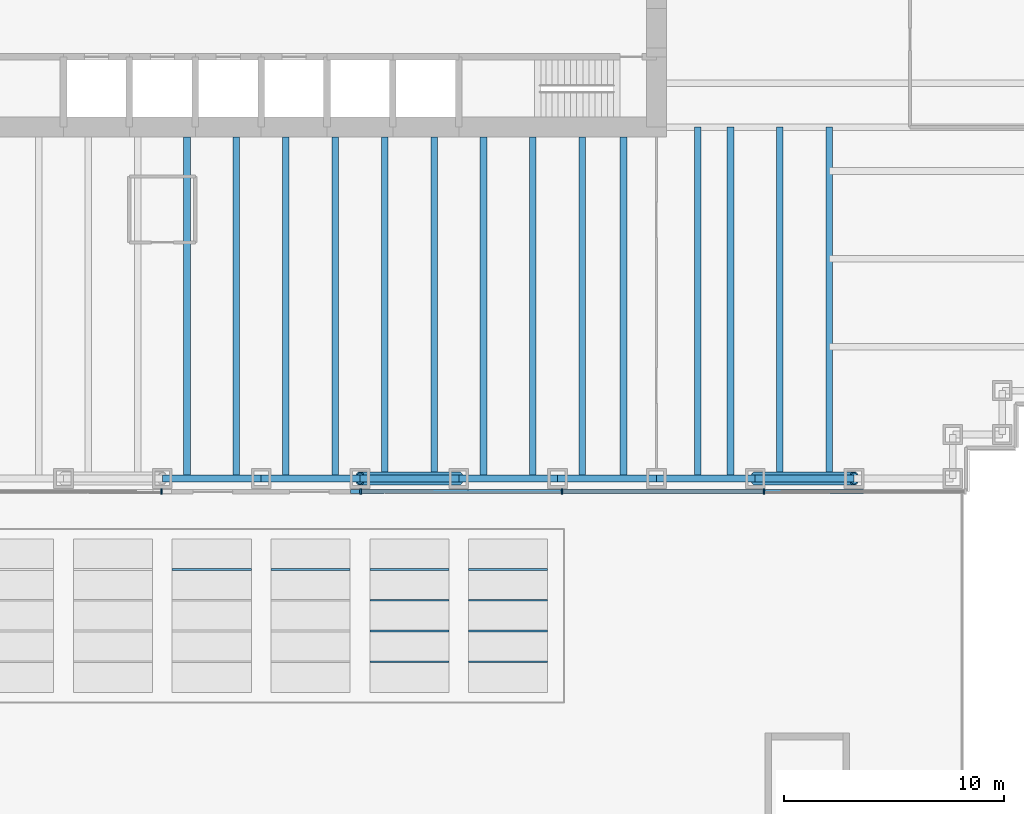
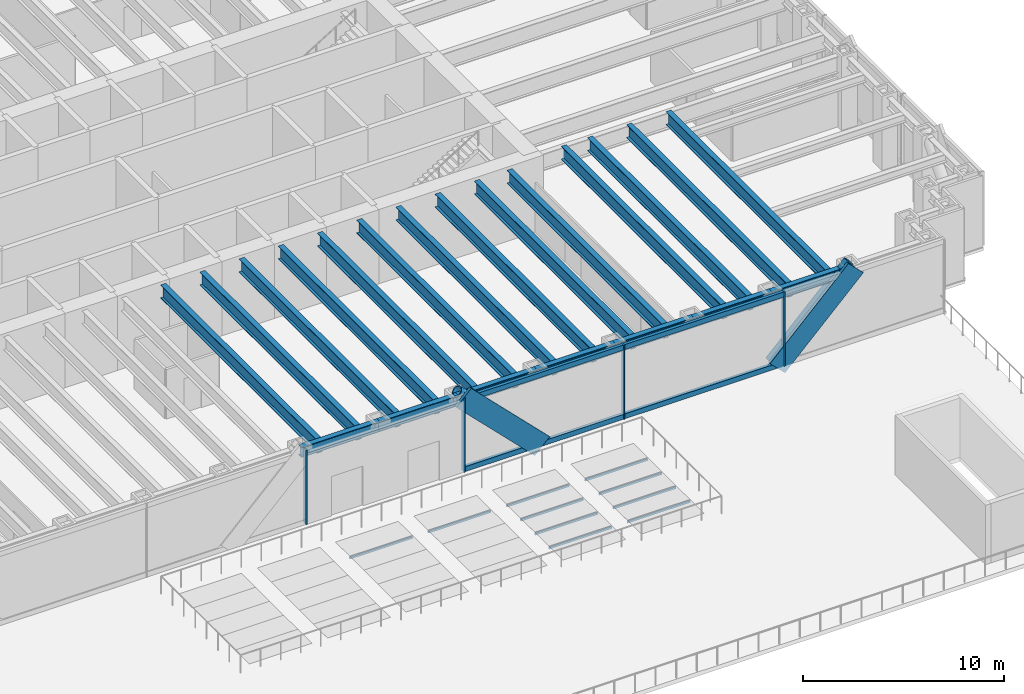
# One storey, part 3 of 15: 22 members, 21 beams, 2 elements without a shape of their own.
"""IFC4 building model written with IfcOpenShell, lengths in metres."""

from ifc_helpers import new_model, si_unit, direction, frame, origin, origin_2d, place, context, subcontext, project, spatial, rectangle, hollow_rectangle, hollow_circle, i_section, extrude, material, material_profile, profile_set, type_object, element, aggregate, save


model = new_model("IFC4")

# Units and contexts
model_context = context("Model", 3, precision=1e-05, world=origin(), true_north=direction((0.0, 1.0)))
body_context = subcontext(model_context, "Body", "Model", "MODEL_VIEW")
ifc_project = project(units=[si_unit("LENGTHUNIT", "METRE"), si_unit("AREAUNIT", "SQUARE_METRE"), si_unit("VOLUMEUNIT", "CUBIC_METRE"), si_unit("PLANEANGLEUNIT", "RADIAN"), si_unit("MASSUNIT", "GRAM", prefix="KILO")], contexts=[model_context])

# Site, building, storey
site_placement = place(None, origin())
site = spatial("IfcSite", under=ifc_project, at=site_placement, CompositionType="ELEMENT")
building_placement = place(site_placement, origin())
building = spatial("IfcBuilding", under=site, at=building_placement, Name="Rheinbord Bourse Tower", CompositionType="ELEMENT")
storey_placement = place(building_placement, frame((0.0, 0.0, 23.0)))
storey = spatial("IfcBuildingStorey", under=building, at=storey_placement, Name="L04", CompositionType="ELEMENT", Elevation=23.0)

# Curtain wall, members
ifc_material_1 = material(Name="Dark glass and black aluminium", Category="aluminium")
curtain_wall_type = type_object("IfcCurtainWallType", Name="CW1 DARK GLASS CURTAIN WALL", PredefinedType="USERDEFINED", material=ifc_material_1)
curtain_wall_1_placement = place(storey_placement, origin())
curtain_wall_1 = element("IfcCurtainWall", 1, at=curtain_wall_1_placement, inside=storey, type_object=curtain_wall_type, Name="Curtain wall CW1 S L04", ObjectType="UNITISED CURTAIN WALL", PredefinedType="USERDEFINED")
ifc_material_2 = material(Name="Black anodised aluminium", Category="aluminium")
ifc_material_profile_1 = material_profile(ifc_material_2, rectangle(XDim=0.179931640625, YDim=1.2099609375, at=origin_2d()), Name="CW1 DIAGONAL MULLION 1210x180")
ifc_profile_set_1 = profile_set([ifc_material_profile_1], Name="Black anodised aluminium")
member_type_1 = type_object("IfcMemberType", Name="CW1 BLACK DIAGONAL MULLION", PredefinedType="USERDEFINED", material=ifc_profile_set_1)
member_1_placement = place(storey_placement, frame((45.0, -0.60009765625, 0.0), z_axis=(-0.707106781187, 0.0, 0.707106781187), x_axis=(0.0, -1.0, 0.0)))
member_1 = element("IfcMember", 2, at=member_1_placement, type_object=member_type_1, Name="CW1 diagonal mullion b", ObjectType="DIAGONAL MULLION", PredefinedType="USERDEFINED", context=body_context, shape_type="SweptSolid", body=[
    extrude(rectangle(XDim=0.179931640625, YDim=1.2099609375, at=origin_2d()), origin(), (0.0, 0.0, 1.0), 6.364013671875),
])
member_2_placement = place(storey_placement, frame((58.5, -0.60009765625, 0.0), z_axis=(0.707106781187, 0.0, 0.707106781187), x_axis=(0.0, 1.0, 0.0)))
member_2 = element("IfcMember", 3, at=member_2_placement, type_object=member_type_1, Name="CW1 diagonal mullion c", ObjectType="DIAGONAL MULLION", PredefinedType="USERDEFINED", context=body_context, shape_type="SweptSolid", body=[
    extrude(rectangle(XDim=0.179931640625, YDim=1.2099609375, at=origin_2d()), origin(), (0.0, 0.0, 1.0), 6.364013671875),
])

# Curtain wall, member
curtain_wall_2_placement = place(storey_placement, origin())
curtain_wall_2 = element("IfcCurtainWall", 4, at=curtain_wall_2_placement, inside=storey, type_object=curtain_wall_type, Name="Curtain wall CW1 S L04", ObjectType="UNITISED CURTAIN WALL", PredefinedType="USERDEFINED")
ifc_material_3 = material(Name="Black anodised aluminium", Category="aluminium")
ifc_material_profile_2 = material_profile(ifc_material_3, rectangle(XDim=0.25, YDim=0.080078125, at=origin_2d()), Name="CW1 MULLION 80x250")
ifc_profile_set_2 = profile_set([ifc_material_profile_2], Name="Black anodised aluminium")
member_type_2 = type_object("IfcMemberType", Name="CW1 BLACK MULLION", PredefinedType="MULLION", material=ifc_profile_set_2)
member_3_placement = place(storey_placement, frame((31.4599609375, -0.60009765625, 0.0), z_axis=(0.0, 0.0, 1.0), x_axis=(0.0, 1.0, 0.0)))
member_3 = element("IfcMember", 5, at=member_3_placement, type_object=member_type_2, Name="CW1 mullion 4", PredefinedType="MULLION", context=body_context, shape_type="SweptSolid", body=[
    extrude(rectangle(XDim=0.25, YDim=0.080078125, at=origin_2d()), origin(), (0.0, 0.0, 1.0), 4.5),
])
aggregate(curtain_wall_2, [member_3])

# Member
member_4_placement = place(storey_placement, frame((40.5400390625, -0.60009765625, 0.0), z_axis=(0.0, 0.0, 1.0), x_axis=(0.0, 1.0, 0.0)))
member_4 = element("IfcMember", 6, at=member_4_placement, type_object=member_type_2, Name="CW1 mullion 1", PredefinedType="MULLION", context=body_context, shape_type="SweptSolid", body=[
    extrude(rectangle(XDim=0.25, YDim=0.080078125, at=origin_2d()), origin(), (0.0, 0.0, 1.0), 4.5),
])

member_5_placement = place(storey_placement, frame((49.699951171875, -0.60009765625, 0.0), z_axis=(0.0, 0.0, 1.0), x_axis=(0.0, 1.0, 0.0)))
member_5 = element("IfcMember", 7, at=member_5_placement, type_object=member_type_2, Name="CW1 mullion 2", PredefinedType="MULLION", context=body_context, shape_type="SweptSolid", body=[
    extrude(rectangle(XDim=0.25, YDim=0.080078125, at=origin_2d()), origin(), (0.0, 0.0, 1.0), 4.5),
])

member_6_placement = place(storey_placement, frame((58.89990234375, -0.60009765625, 0.0), z_axis=(0.0, 0.0, 1.0), x_axis=(0.0, 1.0, 0.0)))
member_6 = element("IfcMember", 8, at=member_6_placement, type_object=member_type_2, Name="CW1 mullion 3", PredefinedType="MULLION", context=body_context, shape_type="SweptSolid", body=[
    extrude(rectangle(XDim=0.25, YDim=0.080078125, at=origin_2d()), origin(), (0.0, 0.0, 1.0), 4.5),
])

ifc_material_4 = material(Name="Black anodised aluminium", Category="aluminium")
ifc_material_profile_3 = material_profile(ifc_material_4, rectangle(XDim=0.179931640625, YDim=0.300048828125, at=origin_2d()), Name="CW1 TRANSOM 300x180")
ifc_profile_set_3 = profile_set([ifc_material_profile_3], Name="Black anodised aluminium")
member_type_3 = type_object("IfcMemberType", Name="CW1 BLACK TRANSOM", PredefinedType="USERDEFINED", material=ifc_profile_set_3)
member_7_placement = place(storey_placement, frame((40.580078125, -0.60009765625, 0.14990234375), z_axis=(1.0, 0.0, 0.0), x_axis=(0.0, 1.0, 0.0)))
member_7 = element("IfcMember", 9, at=member_7_placement, type_object=member_type_3, Name="CW1 transom 1.1", ObjectType="TRANSOM", PredefinedType="USERDEFINED", context=body_context, shape_type="SweptSolid", body=[
    extrude(rectangle(XDim=0.179931640625, YDim=0.300048828125, at=origin_2d()), origin(), (0.0, 0.0, 1.0), 9.079833984375),
])

member_8_placement = place(storey_placement, frame((40.580078125, -0.60009765625, 4.35009765625), z_axis=(1.0, 0.0, 0.0), x_axis=(0.0, 1.0, 0.0)))
member_8 = element("IfcMember", 10, at=member_8_placement, type_object=member_type_3, Name="CW1 transom 1.2", ObjectType="TRANSOM", PredefinedType="USERDEFINED", context=body_context, shape_type="SweptSolid", body=[
    extrude(rectangle(XDim=0.179931640625, YDim=0.300048828125, at=origin_2d()), origin(), (0.0, 0.0, 1.0), 9.079833984375),
])

member_9_placement = place(storey_placement, frame((49.739990234375, -0.60009765625, 0.14990234375), z_axis=(1.0, 0.0, 0.0), x_axis=(0.0, 1.0, 0.0)))
member_9 = element("IfcMember", 11, at=member_9_placement, type_object=member_type_3, Name="CW1 transom 2.1", ObjectType="TRANSOM", PredefinedType="USERDEFINED", context=body_context, shape_type="SweptSolid", body=[
    extrude(rectangle(XDim=0.179931640625, YDim=0.300048828125, at=origin_2d()), origin(), (0.0, 0.0, 1.0), 9.1201171875),
])

member_10_placement = place(storey_placement, frame((49.739990234375, -0.60009765625, 4.35009765625), z_axis=(1.0, 0.0, 0.0), x_axis=(0.0, 1.0, 0.0)))
member_10 = element("IfcMember", 12, at=member_10_placement, type_object=member_type_3, Name="CW1 transom 2.2", ObjectType="TRANSOM", PredefinedType="USERDEFINED", context=body_context, shape_type="SweptSolid", body=[
    extrude(rectangle(XDim=0.179931640625, YDim=0.300048828125, at=origin_2d()), origin(), (0.0, 0.0, 1.0), 9.1201171875),
])

aggregate(curtain_wall_1, [member_4, member_5, member_6, member_7, member_8, member_9, member_10, member_1, member_2])

# Beams
ifc_material_5 = material(Name="Steel S460", Category="steel")
ifc_material_profile_4 = material_profile(ifc_material_5, i_section(OverallWidth=0.300048828125, OverallDepth=0.800048828125, WebThickness=0.017578125, FlangeThickness=0.032958984375, at=origin_2d()), Name="HEB 800")
ifc_profile_set_4 = profile_set([ifc_material_profile_4], Name="Steel S460")
beam_type_1 = type_object("IfcBeamType", Name="FLOOR BEAM HEB 800", PredefinedType="BEAM", material=ifc_profile_set_4)
for number, where, z_axis, x_axis, name in (
    (13, (32.625, 0.0, 3.919921875), (0.0, 1.0, 0.0), (-1.0, 0.0, 0.0), "Floor beam S-31.5a L05"),
    (14, (34.875, 0.0, 3.919921875), (0.0, 1.0, 0.0), (-1.0, 0.0, 0.0), "Floor beam S-31.5b L05"),
    (15, (37.125, 0.0, 3.919921875), (0.0, 1.0, 0.0), (-1.0, 0.0, 0.0), "Floor beam S-36a L05"),
    (16, (39.375, 0.0, 3.919921875), (0.0, 1.0, 0.0), (-1.0, 0.0, 0.0), "Floor beam S-36b L05"),
    (17, (41.625, 0.0, 3.919921875), (0.0, 1.0, 0.0), (-1.0, 0.0, 0.0), "Floor beam S-40.5a L05"),
    (18, (43.875, 0.0, 3.919921875), (0.0, 1.0, 0.0), (-1.0, 0.0, 0.0), "Floor beam S-40.5b L05"),
    (19, (46.125, 0.0, 3.919921875), (0.0, 1.0, 0.0), (-1.0, 0.0, 0.0), "Floor beam S-45a L05"),
    (20, (48.375, 0.0, 3.919921875), (0.0, 1.0, 0.0), (-1.0, 0.0, 0.0), "Floor beam S-45b L05"),
    (21, (50.625, 0.0, 3.919921875), (0.0, 1.0, 0.0), (-1.0, 0.0, 0.0), "Floor beam S-49.5a L05"),
    (22, (52.5, 0.0, 3.919921875), (0.0, 1.0, 0.0), (-1.0, 0.0, 0.0), "Floor beam S-49.5b L05"),
):
    element("IfcBeam", number, at=place(storey_placement, frame(where, z_axis=z_axis, x_axis=x_axis)), inside=storey, type_object=beam_type_1, Name=name, PredefinedType="BEAM", context=body_context, shape_type="SweptSolid", body=[
        extrude(i_section(OverallWidth=0.300048828125, OverallDepth=0.800048828125, WebThickness=0.017578125, FlangeThickness=0.032958984375, at=origin_2d()), origin(), (0.0, 0.0, 1.0), 15.550048828125),
    ])
for number, where, z_axis, x_axis, name in (
    (23, (55.875, 0.0, 3.919921875), (0.0, 1.0, 0.0), (-1.0, 0.0, 0.0), "Floor beam S-54a L05"),
    (24, (57.375, 0.0, 3.919921875), (0.0, 1.0, 0.0), (-1.0, 0.0, 0.0), "Floor beam S-54b L05"),
    (25, (59.625, 0.0, 3.919921875), (0.0, 1.0, 0.0), (-1.0, 0.0, 0.0), "Floor beam S-58.5a L05"),
    (26, (61.875, 0.0, 3.919921875), (0.0, 1.0, 0.0), (-1.0, 0.0, 0.0), "Floor beam S-58.5b L05"),
):
    element("IfcBeam", number, at=place(storey_placement, frame(where, z_axis=z_axis, x_axis=x_axis)), inside=storey, type_object=beam_type_1, Name=name, PredefinedType="BEAM", context=body_context, shape_type="SweptSolid", body=[
        extrude(i_section(OverallWidth=0.300048828125, OverallDepth=0.800048828125, WebThickness=0.017578125, FlangeThickness=0.032958984375, at=origin_2d()), origin(), (0.0, 0.0, 1.0), 16.0),
    ])

# Members
ifc_material_6 = material(Name="Steel S460", Category="steel")
ifc_material_profile_5 = material_profile(ifc_material_6, hollow_rectangle(XDim=0.080078125, YDim=0.1201171875, WallThickness=0.00634765625, at=origin_2d()), Name="RHS 120x80x6.3")
ifc_profile_set_5 = profile_set([ifc_material_profile_5], Name="Steel S460")
member_type_4 = type_object("IfcMemberType", Name="GLAZING BEAM RHS 120x80x6.3", PredefinedType="PURLIN", material=ifc_profile_set_5)
for number, where, z_axis, x_axis, name in (
    (27, (31.949951171875, -4.14990234375, -0.110107421875), (1.0, 0.0, 0.0), (0.0, 1.0, 0.0), "Glazing beam 3-4"),
    (28, (36.449951171875, -4.14990234375, -0.110107421875), (1.0, 0.0, 0.0), (0.0, 1.0, 0.0), "Glazing beam 4-4"),
    (29, (40.949951171875, -8.35009765625, -0.110107421875), (1.0, 0.0, 0.0), (0.0, 1.0, 0.0), "Glazing beam 5-1"),
    (30, (40.949951171875, -6.949951171875, -0.110107421875), (1.0, 0.0, 0.0), (0.0, 1.0, 0.0), "Glazing beam 5-2"),
    (31, (40.949951171875, -5.550048828125, -0.110107421875), (1.0, 0.0, 0.0), (0.0, 1.0, 0.0), "Glazing beam 5-3"),
    (32, (40.949951171875, -4.14990234375, -0.110107421875), (1.0, 0.0, 0.0), (0.0, 1.0, 0.0), "Glazing beam 5-4"),
    (33, (45.449951171875, -8.35009765625, -0.110107421875), (1.0, 0.0, 0.0), (0.0, 1.0, 0.0), "Glazing beam 6-1"),
    (34, (45.449951171875, -6.949951171875, -0.110107421875), (1.0, 0.0, 0.0), (0.0, 1.0, 0.0), "Glazing beam 6-2"),
    (35, (45.449951171875, -5.550048828125, -0.110107421875), (1.0, 0.0, 0.0), (0.0, 1.0, 0.0), "Glazing beam 6-3"),
    (36, (45.449951171875, -4.14990234375, -0.110107421875), (1.0, 0.0, 0.0), (0.0, 1.0, 0.0), "Glazing beam 6-4"),
):
    element("IfcMember", number, at=place(storey_placement, frame(where, z_axis=z_axis, x_axis=x_axis)), inside=storey, type_object=member_type_4, Name=name, PredefinedType="PURLIN", context=body_context, shape_type="SweptSolid", body=[
        extrude(hollow_rectangle(XDim=0.080078125, YDim=0.1201171875, WallThickness=0.00634765625, at=origin_2d()), origin(), (0.0, 0.0, 1.0), 3.60009765625),
    ])
ifc_material_7 = material(Name="Steel S460", Category="steel")
ifc_material_profile_6 = material_profile(ifc_material_7, hollow_circle(Radius=0.304931640625, WallThickness=0.050048828125, at=origin_2d()), Name="CHS 610x50")
ifc_profile_set_6 = profile_set([ifc_material_profile_6], Name="Steel S460")
member_type_5 = type_object("IfcMemberType", Name="MEGABRACE CHS 610x50", PredefinedType="BRACE", material=ifc_profile_set_6)
for number, where, z_axis, x_axis, name in (
    (37, (45.0, 0.0, 0.0), (-0.707106781187, 0.0, 0.707106781187), (0.0, -1.0, 0.0), "Megabrace S face line b L04"),
    (38, (58.5, 0.0, 0.0), (0.707106781187, 0.0, 0.707106781187), (0.0, 1.0, 0.0), "Megabrace S face line c L04"),
):
    element("IfcMember", number, at=place(storey_placement, frame(where, z_axis=z_axis, x_axis=x_axis)), inside=storey, type_object=member_type_5, Name=name, PredefinedType="BRACE", context=body_context, shape_type="SweptSolid", body=[
        extrude(hollow_circle(Radius=0.304931640625, WallThickness=0.050048828125, at=origin_2d()), origin(), (0.0, 0.0, 1.0), 6.364013671875),
    ])

# Beams
ifc_material_8 = material(Name="Steel S460", Category="steel")
ifc_material_profile_7 = material_profile(ifc_material_8, i_section(OverallWidth=0.304931640625, OverallDepth=0.6201171875, WebThickness=0.02099609375, FlangeThickness=0.0400390625, at=origin_2d()), Name="HEM 600")
ifc_profile_set_7 = profile_set([ifc_material_profile_7], Name="Steel S460")
beam_type_2 = type_object("IfcBeamType", Name="SPANDREL HEM 600", PredefinedType="SPANDREL", material=ifc_profile_set_7)
for number, where, z_axis, x_axis, name in (
    (39, (31.5, 0.0, 4.010009765625), (1.0, 0.0, 0.0), (0.0, 1.0, 0.0), "Spandrel S-31.5-S-36 under L05"),
    (40, (36.0, 0.0, 4.010009765625), (1.0, 0.0, 0.0), (0.0, 1.0, 0.0), "Spandrel S-36-S-40.5 under L05"),
    (41, (40.5, 0.0, 4.010009765625), (1.0, 0.0, 0.0), (0.0, 1.0, 0.0), "Spandrel S-40.5-S-45 under L05"),
    (42, (45.0, 0.0, 4.010009765625), (1.0, 0.0, 0.0), (0.0, 1.0, 0.0), "Spandrel S-45-S-49.5 under L05"),
    (43, (49.5, 0.0, 4.010009765625), (1.0, 0.0, 0.0), (0.0, 1.0, 0.0), "Spandrel S-49.5-S-54 under L05"),
    (44, (54.0, 0.0, 4.010009765625), (1.0, 0.0, 0.0), (0.0, 1.0, 0.0), "Spandrel S-54-S-58.5 under L05"),
    (45, (58.5, 0.0, 4.010009765625), (1.0, 0.0, 0.0), (0.0, 1.0, 0.0), "Spandrel S-58.5-S-63 under L05"),
):
    element("IfcBeam", number, at=place(storey_placement, frame(where, z_axis=z_axis, x_axis=x_axis)), inside=storey, type_object=beam_type_2, Name=name, PredefinedType="SPANDREL", context=body_context, shape_type="SweptSolid", body=[
        extrude(i_section(OverallWidth=0.304931640625, OverallDepth=0.6201171875, WebThickness=0.02099609375, FlangeThickness=0.0400390625, at=origin_2d()), origin(), (0.0, 0.0, 1.0), 4.5),
    ])

save(model, "model.ifc")
